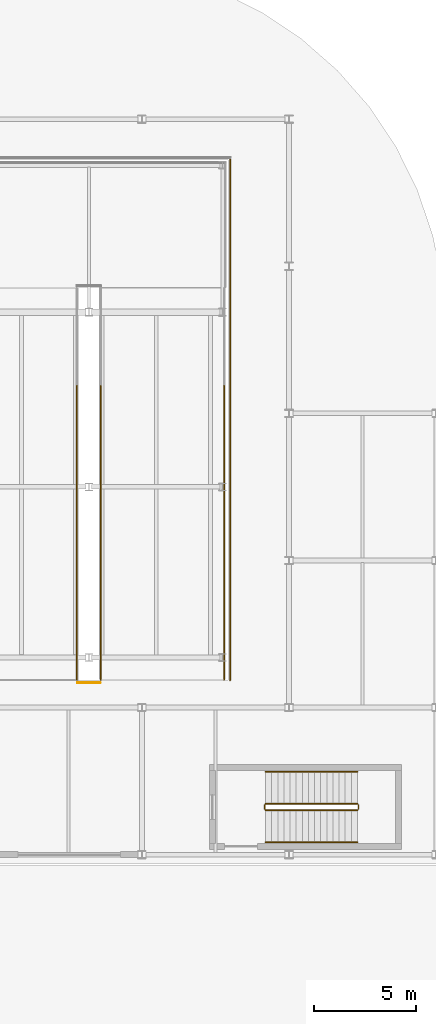
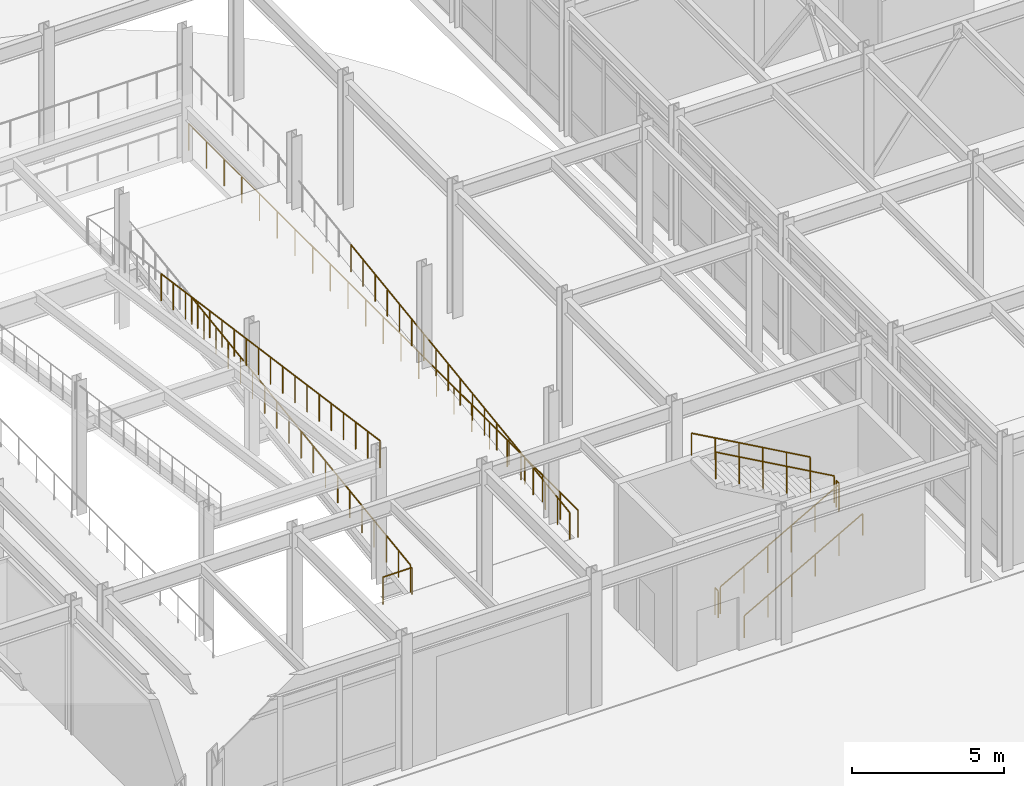
# One storey, part 100 of 104: 17 railings.
"""IFC4 building model written with IfcOpenShell, lengths in metres."""

from ifc_helpers import new_model, si_unit, direction, frame, origin, origin_2d, place, context, subcontext, project, spatial, circle, extrude, material, layer, layer_set, type_object, element, save


model = new_model("IFC4")

# Units and contexts
model_context = context("Model", 3, precision=1e-05, world=origin(), true_north=direction((0.0, 1.0)))
body_context = subcontext(model_context, "Body", "Model", "MODEL_VIEW")
ifc_project = project(units=[si_unit("LENGTHUNIT", "METRE"), si_unit("AREAUNIT", "SQUARE_METRE"), si_unit("VOLUMEUNIT", "CUBIC_METRE"), si_unit("PLANEANGLEUNIT", "RADIAN"), si_unit("MASSUNIT", "GRAM", prefix="KILO")], contexts=[model_context])

# Site, building, storey
site_placement = place(None, origin())
site = spatial("IfcSite", under=ifc_project, at=site_placement, CompositionType="ELEMENT")
building_placement = place(site_placement, origin())
building = spatial("IfcBuilding", under=site, at=building_placement, Name="Vaelcorin Mobility Hub", CompositionType="ELEMENT")
storey_placement = place(building_placement, origin())
storey = spatial("IfcBuildingStorey", under=building, at=storey_placement, Name="L00", CompositionType="ELEMENT", Elevation=0.0)

# Railings
ifc_material_1 = material(Name="Galvanised structural steel ASTM A36", Category="steel")
ifc_layer_1 = layer(ifc_material_1, 0.070068359375)
ifc_layer_set_1 = layer_set([ifc_layer_1], Name="Galvanised structural steel ASTM A36")
railing_type_1 = type_object("IfcRailingType", Name="RL-GUARD-1100", PredefinedType="BALUSTRADE", material=ifc_layer_set_1)
railing_1_placement = place(storey_placement, frame((134.85009765625, 85.219970703125, 0.0)))
element("IfcRailing", 1, at=railing_1_placement, inside=storey, type_object=railing_type_1, Name="L00 Perimeter Guard GR-V2E-L00-WELL-MED-01", PredefinedType="BALUSTRADE", context=body_context, shape_type="SweptSolid", body=[
    extrude(circle(Radius=0.02392578125, at=origin_2d()), frame((0.0, 0.0, 1.076171875), z_axis=(1.0, 0.0, 0.0), x_axis=(0.0, 1.0, 0.0)), (0.0, 0.0, 1.0), 1.099853515625),
    extrude(circle(Radius=0.02099609375, at=origin_2d()), origin(), (0.0, 0.0, 1.0), 1.052001953125),
    extrude(circle(Radius=0.02099609375, at=origin_2d()), frame((1.099853515625, 0.0, 0.0)), (0.0, 0.0, 1.0), 1.052001953125),
])
railing_2_placement = place(storey_placement, frame((142.320068359375, 110.919921875, 0.0)))
element("IfcRailing", 2, at=railing_2_placement, inside=storey, type_object=railing_type_1, Name="L00 Perimeter Guard GR-V2E-L00-WELL-03", PredefinedType="BALUSTRADE", context=body_context, shape_type="SweptSolid", body=[
    extrude(circle(Radius=0.02392578125, at=origin_2d()), frame((0.0, 0.0, 1.076171875), z_axis=(0.0, -1.0, 0.0), x_axis=(1.0, 0.0, 0.0)), (0.0, 0.0, 1.0), 25.579833984375),
    extrude(circle(Radius=0.02099609375, at=origin_2d()), origin(), (0.0, 0.0, 1.0), 1.052001953125),
    extrude(circle(Radius=0.02099609375, at=origin_2d()), frame((0.0, -1.16259765625, 0.0)), (0.0, 0.0, 1.0), 1.052001953125),
    extrude(circle(Radius=0.02099609375, at=origin_2d()), frame((0.0, -2.325439453125, 0.0)), (0.0, 0.0, 1.0), 1.052001953125),
    extrude(circle(Radius=0.02099609375, at=origin_2d()), frame((0.0, -3.488037109375, 0.0)), (0.0, 0.0, 1.0), 1.052001953125),
    extrude(circle(Radius=0.02099609375, at=origin_2d()), frame((0.0, -4.65087890625, 0.0)), (0.0, 0.0, 1.0), 1.052001953125),
    extrude(circle(Radius=0.02099609375, at=origin_2d()), frame((0.0, -5.8134765625, 0.0)), (0.0, 0.0, 1.0), 1.052001953125),
    extrude(circle(Radius=0.02099609375, at=origin_2d()), frame((0.0, -6.976318359375, 0.0)), (0.0, 0.0, 1.0), 1.052001953125),
    extrude(circle(Radius=0.02099609375, at=origin_2d()), frame((0.0, -8.13916015625, 0.0)), (0.0, 0.0, 1.0), 1.052001953125),
    extrude(circle(Radius=0.02099609375, at=origin_2d()), frame((0.0, -9.3017578125, 0.0)), (0.0, 0.0, 1.0), 1.052001953125),
    extrude(circle(Radius=0.02099609375, at=origin_2d()), frame((0.0, -10.46435546875, 0.0)), (0.0, 0.0, 1.0), 1.052001953125),
    extrude(circle(Radius=0.02099609375, at=origin_2d()), frame((0.0, -11.627197265625, 0.0)), (0.0, 0.0, 1.0), 1.052001953125),
    extrude(circle(Radius=0.02099609375, at=origin_2d()), frame((0.0, -12.7900390625, 0.0)), (0.0, 0.0, 1.0), 1.052001953125),
    extrude(circle(Radius=0.02099609375, at=origin_2d()), frame((0.0, -13.95263671875, 0.0)), (0.0, 0.0, 1.0), 1.052001953125),
    extrude(circle(Radius=0.02099609375, at=origin_2d()), frame((0.0, -15.115234375, 0.0)), (0.0, 0.0, 1.0), 1.052001953125),
    extrude(circle(Radius=0.02099609375, at=origin_2d()), frame((0.0, -16.278076171875, 0.0)), (0.0, 0.0, 1.0), 1.052001953125),
    extrude(circle(Radius=0.02099609375, at=origin_2d()), frame((0.0, -17.44091796875, 0.0)), (0.0, 0.0, 1.0), 1.052001953125),
    extrude(circle(Radius=0.02099609375, at=origin_2d()), frame((0.0, -18.603515625, 0.0)), (0.0, 0.0, 1.0), 1.052001953125),
    extrude(circle(Radius=0.02099609375, at=origin_2d()), frame((0.0, -19.76611328125, 0.0)), (0.0, 0.0, 1.0), 1.052001953125),
    extrude(circle(Radius=0.02099609375, at=origin_2d()), frame((0.0, -20.928955078125, 0.0)), (0.0, 0.0, 1.0), 1.052001953125),
    extrude(circle(Radius=0.02099609375, at=origin_2d()), frame((0.0, -22.091796875, 0.0)), (0.0, 0.0, 1.0), 1.052001953125),
    extrude(circle(Radius=0.02099609375, at=origin_2d()), frame((0.0, -23.25439453125, 0.0)), (0.0, 0.0, 1.0), 1.052001953125),
    extrude(circle(Radius=0.02099609375, at=origin_2d()), frame((0.0, -24.4169921875, 0.0)), (0.0, 0.0, 1.0), 1.052001953125),
    extrude(circle(Radius=0.02099609375, at=origin_2d()), frame((0.0, -25.579833984375, 0.0)), (0.0, 0.0, 1.0), 1.052001953125),
])
for number, where, name in (
    (3, (135.97998046875, 85.360107421875, 0.0), "L00 Ramp Guard GR-V2E-L00-FL1-W-01"),
    (4, (135.97998046875, 90.155029296875, 0.675048828125), "L00 Ramp Guard GR-V2E-L00-FL1-W-02"),
):
    element("IfcRailing", number, at=place(storey_placement, frame(where)), inside=storey, type_object=railing_type_1, Name=name, PredefinedType="BALUSTRADE", context=body_context, shape_type="SweptSolid", body=[
        extrude(circle(Radius=0.02392578125, at=origin_2d()), frame((0.0, 0.0, 1.076171875), z_axis=(0.0, 0.990234839535, 0.139409334588), x_axis=(-1.0, 0.0, 0.0)), (0.0, 0.0, 1.0), 4.84228515625),
        extrude(circle(Radius=0.02099609375, at=origin_2d()), origin(), (0.0, 0.0, 1.0), 1.052001953125),
        extrude(circle(Radius=0.02099609375, at=origin_2d()), frame((0.0, 0.799072265625, 0.112548828125)), (0.0, 0.0, 1.0), 1.052001953125),
        extrude(circle(Radius=0.02099609375, at=origin_2d()), frame((0.0, 1.598388671875, 0.22509765625)), (0.0, 0.0, 1.0), 1.052001953125),
        extrude(circle(Radius=0.02099609375, at=origin_2d()), frame((0.0, 2.3974609375, 0.33740234375)), (0.0, 0.0, 1.0), 1.052001953125),
        extrude(circle(Radius=0.02099609375, at=origin_2d()), frame((0.0, 3.196533203125, 0.449951171875)), (0.0, 0.0, 1.0), 1.052001953125),
        extrude(circle(Radius=0.02099609375, at=origin_2d()), frame((0.0, 3.995849609375, 0.5625)), (0.0, 0.0, 1.0), 1.052001953125),
        extrude(circle(Radius=0.02099609375, at=origin_2d()), frame((0.0, 4.794921875, 0.675048828125)), (0.0, 0.0, 1.0), 1.052001953125),
    ])
railing_3_placement = place(storey_placement, frame((135.97998046875, 94.949951171875, 1.35009765625)))
element("IfcRailing", 5, at=railing_3_placement, inside=storey, type_object=railing_type_1, Name="L00 Ramp Guard GR-V2E-L00-FL1-W-03", PredefinedType="BALUSTRADE", context=body_context, shape_type="SweptSolid", body=[
    extrude(circle(Radius=0.02392578125, at=origin_2d()), frame((0.0, 0.0, 1.076171875), z_axis=(0.0, 0.990242777767, 0.139352937108), x_axis=(-1.0, 0.0, 0.0)), (0.0, 0.0, 1.0), 4.842529296875),
    extrude(circle(Radius=0.02099609375, at=origin_2d()), origin(), (0.0, 0.0, 1.0), 1.052001953125),
    extrude(circle(Radius=0.02099609375, at=origin_2d()), frame((0.0, 0.79931640625, 0.112548828125)), (0.0, 0.0, 1.0), 1.052001953125),
    extrude(circle(Radius=0.02099609375, at=origin_2d()), frame((0.0, 1.598388671875, 0.224853515625)), (0.0, 0.0, 1.0), 1.052001953125),
    extrude(circle(Radius=0.02099609375, at=origin_2d()), frame((0.0, 2.3974609375, 0.33740234375)), (0.0, 0.0, 1.0), 1.052001953125),
    extrude(circle(Radius=0.02099609375, at=origin_2d()), frame((0.0, 3.19677734375, 0.449951171875)), (0.0, 0.0, 1.0), 1.052001953125),
    extrude(circle(Radius=0.02099609375, at=origin_2d()), frame((0.0, 3.99609375, 0.562255859375)), (0.0, 0.0, 1.0), 1.052001953125),
    extrude(circle(Radius=0.02099609375, at=origin_2d()), frame((0.0, 4.795166015625, 0.6748046875)), (0.0, 0.0, 1.0), 1.052001953125),
])
for number, where, name in (
    (6, (142.02001953125, 85.360107421875, 0.0), "L00 Ramp Guard GR-V2E-L00-FL1-E-01"),
    (7, (142.02001953125, 90.155029296875, 0.675048828125), "L00 Ramp Guard GR-V2E-L00-FL1-E-02"),
):
    element("IfcRailing", number, at=place(storey_placement, frame(where)), inside=storey, type_object=railing_type_1, Name=name, PredefinedType="BALUSTRADE", context=body_context, shape_type="SweptSolid", body=[
        extrude(circle(Radius=0.02392578125, at=origin_2d()), frame((0.0, 0.0, 1.076171875), z_axis=(0.0, 0.990234839535, 0.139409334588), x_axis=(-1.0, 0.0, 0.0)), (0.0, 0.0, 1.0), 4.84228515625),
        extrude(circle(Radius=0.02099609375, at=origin_2d()), origin(), (0.0, 0.0, 1.0), 1.052001953125),
        extrude(circle(Radius=0.02099609375, at=origin_2d()), frame((0.0, 0.799072265625, 0.112548828125)), (0.0, 0.0, 1.0), 1.052001953125),
        extrude(circle(Radius=0.02099609375, at=origin_2d()), frame((0.0, 1.598388671875, 0.22509765625)), (0.0, 0.0, 1.0), 1.052001953125),
        extrude(circle(Radius=0.02099609375, at=origin_2d()), frame((0.0, 2.3974609375, 0.33740234375)), (0.0, 0.0, 1.0), 1.052001953125),
        extrude(circle(Radius=0.02099609375, at=origin_2d()), frame((0.0, 3.196533203125, 0.449951171875)), (0.0, 0.0, 1.0), 1.052001953125),
        extrude(circle(Radius=0.02099609375, at=origin_2d()), frame((0.0, 3.995849609375, 0.5625)), (0.0, 0.0, 1.0), 1.052001953125),
        extrude(circle(Radius=0.02099609375, at=origin_2d()), frame((0.0, 4.794921875, 0.675048828125)), (0.0, 0.0, 1.0), 1.052001953125),
    ])
railing_4_placement = place(storey_placement, frame((142.02001953125, 94.949951171875, 1.35009765625)))
element("IfcRailing", 8, at=railing_4_placement, inside=storey, type_object=railing_type_1, Name="L00 Ramp Guard GR-V2E-L00-FL1-E-03", PredefinedType="BALUSTRADE", context=body_context, shape_type="SweptSolid", body=[
    extrude(circle(Radius=0.02392578125, at=origin_2d()), frame((0.0, 0.0, 1.076171875), z_axis=(0.0, 0.990242777767, 0.139352937108), x_axis=(-1.0, 0.0, 0.0)), (0.0, 0.0, 1.0), 4.842529296875),
    extrude(circle(Radius=0.02099609375, at=origin_2d()), origin(), (0.0, 0.0, 1.0), 1.052001953125),
    extrude(circle(Radius=0.02099609375, at=origin_2d()), frame((0.0, 0.79931640625, 0.112548828125)), (0.0, 0.0, 1.0), 1.052001953125),
    extrude(circle(Radius=0.02099609375, at=origin_2d()), frame((0.0, 1.598388671875, 0.224853515625)), (0.0, 0.0, 1.0), 1.052001953125),
    extrude(circle(Radius=0.02099609375, at=origin_2d()), frame((0.0, 2.3974609375, 0.33740234375)), (0.0, 0.0, 1.0), 1.052001953125),
    extrude(circle(Radius=0.02099609375, at=origin_2d()), frame((0.0, 3.19677734375, 0.449951171875)), (0.0, 0.0, 1.0), 1.052001953125),
    extrude(circle(Radius=0.02099609375, at=origin_2d()), frame((0.0, 3.99609375, 0.562255859375)), (0.0, 0.0, 1.0), 1.052001953125),
    extrude(circle(Radius=0.02099609375, at=origin_2d()), frame((0.0, 4.795166015625, 0.6748046875)), (0.0, 0.0, 1.0), 1.052001953125),
])
railing_5_placement = place(storey_placement, frame((134.820068359375, 99.7451171875, 3.375)))
element("IfcRailing", 9, at=railing_5_placement, inside=storey, type_object=railing_type_1, Name="L00 Ramp Guard GR-V2E-L00-FL2-E-02", PredefinedType="BALUSTRADE", context=body_context, shape_type="SweptSolid", body=[
    extrude(circle(Radius=0.02392578125, at=origin_2d()), frame((0.0, 0.0, 1.076171875), z_axis=(0.0, -0.990235819359, 0.139402374651), x_axis=(1.0, 0.0, 0.0)), (0.0, 0.0, 1.0), 4.842529296875),
    extrude(circle(Radius=0.02099609375, at=origin_2d()), origin(), (0.0, 0.0, 1.0), 1.052001953125),
    extrude(circle(Radius=0.02099609375, at=origin_2d()), frame((0.0, -0.79931640625, 0.112548828125)), (0.0, 0.0, 1.0), 1.052001953125),
    extrude(circle(Radius=0.02099609375, at=origin_2d()), frame((0.0, -1.598388671875, 0.22509765625)), (0.0, 0.0, 1.0), 1.052001953125),
    extrude(circle(Radius=0.02099609375, at=origin_2d()), frame((0.0, -2.3974609375, 0.33740234375)), (0.0, 0.0, 1.0), 1.052001953125),
    extrude(circle(Radius=0.02099609375, at=origin_2d()), frame((0.0, -3.19677734375, 0.449951171875)), (0.0, 0.0, 1.0), 1.052001953125),
    extrude(circle(Radius=0.02099609375, at=origin_2d()), frame((0.0, -3.99609375, 0.5625)), (0.0, 0.0, 1.0), 1.052001953125),
    extrude(circle(Radius=0.02099609375, at=origin_2d()), frame((0.0, -4.795166015625, 0.675048828125)), (0.0, 0.0, 1.0), 1.052001953125),
])
railing_6_placement = place(storey_placement, frame((134.820068359375, 94.949951171875, 4.050048828125)))
element("IfcRailing", 10, at=railing_6_placement, inside=storey, type_object=railing_type_1, Name="L00 Ramp Guard GR-V2E-L00-FL2-E-03", PredefinedType="BALUSTRADE", context=body_context, shape_type="SweptSolid", body=[
    extrude(circle(Radius=0.02392578125, at=origin_2d()), frame((0.0, 0.0, 1.076171875), z_axis=(0.0, -0.990234839535, 0.139409334588), x_axis=(1.0, 0.0, 0.0)), (0.0, 0.0, 1.0), 4.84228515625),
    extrude(circle(Radius=0.02099609375, at=origin_2d()), origin(), (0.0, 0.0, 1.0), 1.052001953125),
    extrude(circle(Radius=0.02099609375, at=origin_2d()), frame((0.0, -0.799072265625, 0.112548828125)), (0.0, 0.0, 1.0), 1.052001953125),
    extrude(circle(Radius=0.02099609375, at=origin_2d()), frame((0.0, -1.598388671875, 0.22509765625)), (0.0, 0.0, 1.0), 1.052001953125),
    extrude(circle(Radius=0.02099609375, at=origin_2d()), frame((0.0, -2.3974609375, 0.33740234375)), (0.0, 0.0, 1.0), 1.052001953125),
    extrude(circle(Radius=0.02099609375, at=origin_2d()), frame((0.0, -3.196533203125, 0.449951171875)), (0.0, 0.0, 1.0), 1.052001953125),
    extrude(circle(Radius=0.02099609375, at=origin_2d()), frame((0.0, -3.995849609375, 0.5625)), (0.0, 0.0, 1.0), 1.052001953125),
    extrude(circle(Radius=0.02099609375, at=origin_2d()), frame((0.0, -4.794921875, 0.675048828125)), (0.0, 0.0, 1.0), 1.052001953125),
])
railing_7_placement = place(storey_placement, frame((134.820068359375, 90.155029296875, 4.72509765625)))
element("IfcRailing", 11, at=railing_7_placement, inside=storey, type_object=railing_type_1, Name="L00 Ramp Guard GR-V2E-L00-FL2-E-04", PredefinedType="BALUSTRADE", context=body_context, shape_type="SweptSolid", body=[
    extrude(circle(Radius=0.02392578125, at=origin_2d()), frame((0.0, 0.0, 1.076171875), z_axis=(0.0, -0.990241798631, 0.139359894675), x_axis=(1.0, 0.0, 0.0)), (0.0, 0.0, 1.0), 4.84228515625),
    extrude(circle(Radius=0.02099609375, at=origin_2d()), origin(), (0.0, 0.0, 1.0), 1.052001953125),
    extrude(circle(Radius=0.02099609375, at=origin_2d()), frame((0.0, -0.799072265625, 0.112548828125)), (0.0, 0.0, 1.0), 1.052001953125),
    extrude(circle(Radius=0.02099609375, at=origin_2d()), frame((0.0, -1.598388671875, 0.224853515625)), (0.0, 0.0, 1.0), 1.052001953125),
    extrude(circle(Radius=0.02099609375, at=origin_2d()), frame((0.0, -2.3974609375, 0.33740234375)), (0.0, 0.0, 1.0), 1.052001953125),
    extrude(circle(Radius=0.02099609375, at=origin_2d()), frame((0.0, -3.196533203125, 0.449951171875)), (0.0, 0.0, 1.0), 1.052001953125),
    extrude(circle(Radius=0.02099609375, at=origin_2d()), frame((0.0, -3.995849609375, 0.562255859375)), (0.0, 0.0, 1.0), 1.052001953125),
    extrude(circle(Radius=0.02099609375, at=origin_2d()), frame((0.0, -4.794921875, 0.6748046875)), (0.0, 0.0, 1.0), 1.052001953125),
])
ifc_material_2 = material(Name="Brushed stainless steel 316L", Category="steel")
ifc_layer_2 = layer(ifc_material_2, 0.048095703125)
ifc_layer_set_2 = layer_set([ifc_layer_2], Name="Brushed stainless steel 316L")
railing_type_2 = type_object("IfcRailingType", Name="RL-STAIR-GRD", PredefinedType="GUARDRAIL", material=ifc_layer_set_2)
railing_8_placement = place(storey_placement, frame((144.050048828125, 78.97998046875, 0.168701171875)))
element("IfcRailing", 12, at=railing_8_placement, inside=storey, type_object=railing_type_2, Name="L00 ST2 stair guard 1", PredefinedType="GUARDRAIL", context=body_context, shape_type="SweptSolid", body=[
    extrude(circle(Radius=0.02392578125, at=origin_2d()), frame((0.0, 0.0, 1.076171875), z_axis=(0.871575537125, 0.0, 0.490261239633), x_axis=(0.0, 1.0, 0.0)), (0.0, 0.0, 1.0), 5.1630859375),
    extrude(circle(Radius=0.02099609375, at=origin_2d()), origin(), (0.0, 0.0, 1.0), 1.052001953125),
    extrude(circle(Radius=0.02099609375, at=origin_2d()), frame((0.89990234375, 0.0, 0.50634765625)), (0.0, 0.0, 1.0), 1.052001953125),
    extrude(circle(Radius=0.02099609375, at=origin_2d()), frame((1.800048828125, 0.0, 1.012451171875)), (0.0, 0.0, 1.0), 1.052001953125),
    extrude(circle(Radius=0.02099609375, at=origin_2d()), frame((2.699951171875, 0.0, 1.518798828125)), (0.0, 0.0, 1.0), 1.052001953125),
    extrude(circle(Radius=0.02099609375, at=origin_2d()), frame((3.60009765625, 0.0, 2.02490234375)), (0.0, 0.0, 1.0), 1.052001953125),
    extrude(circle(Radius=0.02099609375, at=origin_2d()), frame((4.5, 0.0, 2.53125)), (0.0, 0.0, 1.0), 1.052001953125),
])
railing_9_placement = place(storey_placement, frame((148.60009765625, 79.030029296875, 2.699951171875)))
element("IfcRailing", 13, at=railing_9_placement, inside=storey, type_object=railing_type_2, Name="L00 ST2 stair guard 2", PredefinedType="GUARDRAIL", context=body_context, shape_type="SweptSolid", body=[
    extrude(circle(Radius=0.02392578125, at=origin_2d()), frame((0.0, 0.0, 1.076171875), z_axis=(0.0, 1.0, 0.0), x_axis=(-1.0, 0.0, 0.0)), (0.0, 0.0, 1.0), 0.199951171875),
    extrude(circle(Radius=0.02099609375, at=origin_2d()), origin(), (0.0, 0.0, 1.0), 1.052001953125),
    extrude(circle(Radius=0.02099609375, at=origin_2d()), frame((0.0, 0.199951171875, 0.0)), (0.0, 0.0, 1.0), 1.052001953125),
])
railing_10_placement = place(storey_placement, frame((148.550048828125, 79.280029296875, 2.86865234375)))
element("IfcRailing", 14, at=railing_10_placement, inside=storey, type_object=railing_type_2, Name="L00 ST2 stair guard 3", PredefinedType="GUARDRAIL", context=body_context, shape_type="SweptSolid", body=[
    extrude(circle(Radius=0.02392578125, at=origin_2d()), frame((0.0, 0.0, 1.076171875), z_axis=(-0.871575537125, 0.0, 0.490261239633), x_axis=(0.0, -1.0, 0.0)), (0.0, 0.0, 1.0), 5.1630859375),
    extrude(circle(Radius=0.02099609375, at=origin_2d()), origin(), (0.0, 0.0, 1.0), 1.052001953125),
    extrude(circle(Radius=0.02099609375, at=origin_2d()), frame((-0.89990234375, 0.0, 0.50634765625)), (0.0, 0.0, 1.0), 1.052001953125),
    extrude(circle(Radius=0.02099609375, at=origin_2d()), frame((-1.800048828125, 0.0, 1.012451171875)), (0.0, 0.0, 1.0), 1.052001953125),
    extrude(circle(Radius=0.02099609375, at=origin_2d()), frame((-2.699951171875, 0.0, 1.518798828125)), (0.0, 0.0, 1.0), 1.052001953125),
    extrude(circle(Radius=0.02099609375, at=origin_2d()), frame((-3.60009765625, 0.0, 2.02490234375)), (0.0, 0.0, 1.0), 1.052001953125),
    extrude(circle(Radius=0.02099609375, at=origin_2d()), frame((-4.5, 0.0, 2.53125)), (0.0, 0.0, 1.0), 1.052001953125),
])
railing_11_placement = place(storey_placement, frame((144.0, 79.030029296875, 0.0)))
element("IfcRailing", 15, at=railing_11_placement, inside=storey, type_object=railing_type_2, Name="L00 ST2 stair guard 4", PredefinedType="GUARDRAIL", context=body_context, shape_type="SweptSolid", body=[
    extrude(circle(Radius=0.02392578125, at=origin_2d()), frame((0.0, 0.0, 1.076171875), z_axis=(0.0, 1.0, 0.0), x_axis=(-1.0, 0.0, 0.0)), (0.0, 0.0, 1.0), 0.199951171875),
    extrude(circle(Radius=0.02099609375, at=origin_2d()), origin(), (0.0, 0.0, 1.0), 1.052001953125),
    extrude(circle(Radius=0.02099609375, at=origin_2d()), frame((0.0, 0.199951171875, 0.0)), (0.0, 0.0, 1.0), 1.052001953125),
])
ifc_layer_3 = layer(ifc_material_2, 0.048095703125)
ifc_layer_set_3 = layer_set([ifc_layer_3], Name="Brushed stainless steel 316L")
railing_type_3 = type_object("IfcRailingType", Name="RL-STAIR-HR", PredefinedType="HANDRAIL", material=ifc_layer_set_3)
railing_12_placement = place(storey_placement, frame((144.050048828125, 77.39990234375, 0.168701171875)))
element("IfcRailing", 16, at=railing_12_placement, inside=storey, type_object=railing_type_3, Name="L00 ST2 stair handrail 1", PredefinedType="HANDRAIL", context=body_context, shape_type="SweptSolid", body=[
    extrude(circle(Radius=0.02392578125, at=origin_2d()), frame((0.0, 0.0, 0.8759765625), z_axis=(0.871575537125, 0.0, 0.490261239633), x_axis=(0.0, 1.0, 0.0)), (0.0, 0.0, 1.0), 5.1630859375),
    extrude(circle(Radius=0.02099609375, at=origin_2d()), origin(), (0.0, 0.0, 1.0), 0.851806640625),
    extrude(circle(Radius=0.02099609375, at=origin_2d()), frame((0.89990234375, 0.0, 0.50634765625)), (0.0, 0.0, 1.0), 0.851806640625),
    extrude(circle(Radius=0.02099609375, at=origin_2d()), frame((1.800048828125, 0.0, 1.012451171875)), (0.0, 0.0, 1.0), 0.851806640625),
    extrude(circle(Radius=0.02099609375, at=origin_2d()), frame((2.699951171875, 0.0, 1.518798828125)), (0.0, 0.0, 1.0), 0.851806640625),
    extrude(circle(Radius=0.02099609375, at=origin_2d()), frame((3.60009765625, 0.0, 2.02490234375)), (0.0, 0.0, 1.0), 0.851806640625),
    extrude(circle(Radius=0.02099609375, at=origin_2d()), frame((4.5, 0.0, 2.53125)), (0.0, 0.0, 1.0), 0.851806640625),
])
railing_13_placement = place(storey_placement, frame((148.550048828125, 80.860107421875, 2.86865234375)))
element("IfcRailing", 17, at=railing_13_placement, inside=storey, type_object=railing_type_3, Name="L00 ST2 stair handrail 2", PredefinedType="HANDRAIL", context=body_context, shape_type="SweptSolid", body=[
    extrude(circle(Radius=0.02392578125, at=origin_2d()), frame((0.0, 0.0, 0.8759765625), z_axis=(-0.871575537125, 0.0, 0.490261239633), x_axis=(0.0, -1.0, 0.0)), (0.0, 0.0, 1.0), 5.1630859375),
    extrude(circle(Radius=0.02099609375, at=origin_2d()), origin(), (0.0, 0.0, 1.0), 0.851806640625),
    extrude(circle(Radius=0.02099609375, at=origin_2d()), frame((-0.89990234375, 0.0, 0.50634765625)), (0.0, 0.0, 1.0), 0.851806640625),
    extrude(circle(Radius=0.02099609375, at=origin_2d()), frame((-1.800048828125, 0.0, 1.012451171875)), (0.0, 0.0, 1.0), 0.851806640625),
    extrude(circle(Radius=0.02099609375, at=origin_2d()), frame((-2.699951171875, 0.0, 1.518798828125)), (0.0, 0.0, 1.0), 0.851806640625),
    extrude(circle(Radius=0.02099609375, at=origin_2d()), frame((-3.60009765625, 0.0, 2.02490234375)), (0.0, 0.0, 1.0), 0.851806640625),
    extrude(circle(Radius=0.02099609375, at=origin_2d()), frame((-4.5, 0.0, 2.53125)), (0.0, 0.0, 1.0), 0.851806640625),
])

save(model, "model.ifc")
